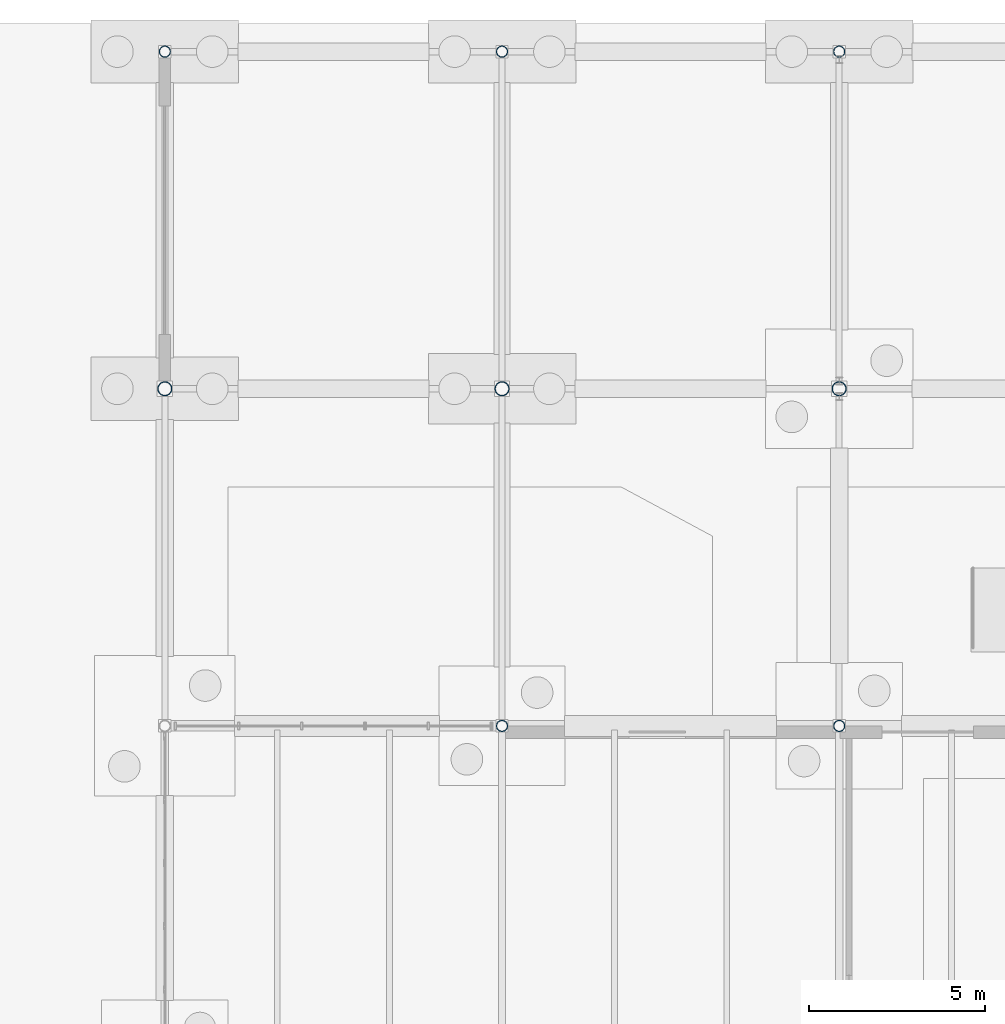
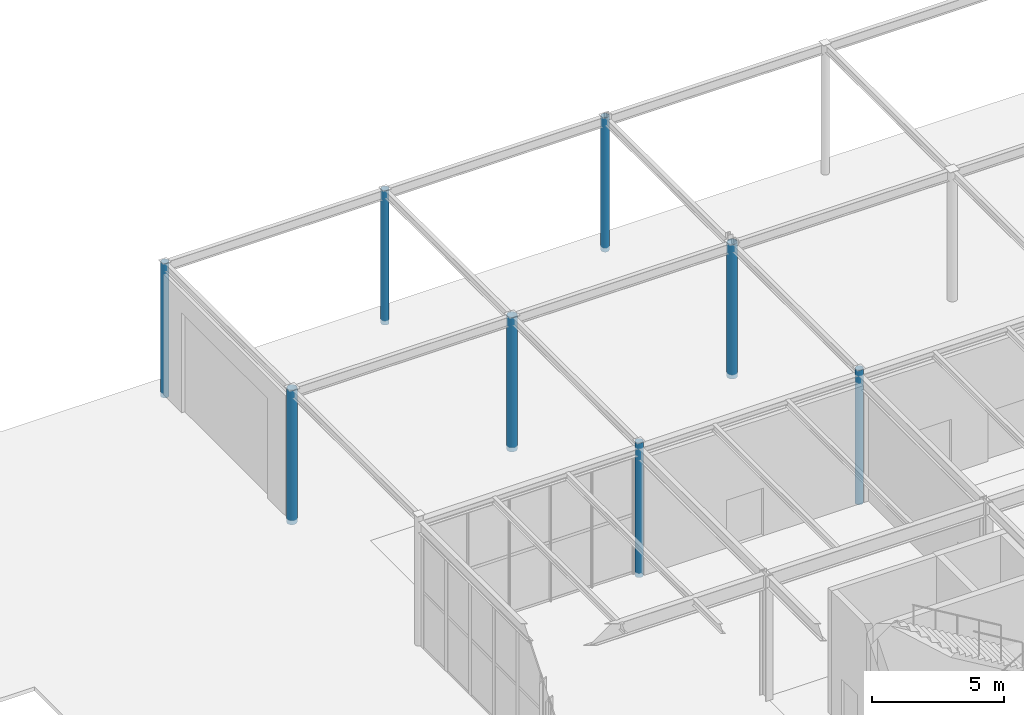
# One storey, part 16 of 142: 8 columns.
"""IFC4 building model written with IfcOpenShell, lengths in metres."""

from ifc_helpers import new_model, si_unit, direction, frame, origin, origin_2d, place, context, subcontext, project, spatial, hollow_circle, extrude, material, material_profile, profile_set, type_object, element, save


model = new_model("IFC4")

# Units and contexts
model_context = context("Model", 3, precision=1e-05, world=origin(), true_north=direction((0.0, 1.0)))
body_context = subcontext(model_context, "Body", "Model", "MODEL_VIEW")
ifc_project = project(units=[si_unit("LENGTHUNIT", "METRE"), si_unit("AREAUNIT", "SQUARE_METRE"), si_unit("VOLUMEUNIT", "CUBIC_METRE"), si_unit("PLANEANGLEUNIT", "RADIAN"), si_unit("MASSUNIT", "GRAM", prefix="KILO")], contexts=[model_context])

# Site, building, storey
site_placement = place(None, origin())
site = spatial("IfcSite", under=ifc_project, at=site_placement, CompositionType="ELEMENT")
building_placement = place(site_placement, origin())
building = spatial("IfcBuilding", under=site, at=building_placement, Name="Coralgate Yard Interchange", CompositionType="ELEMENT")
storey_placement = place(building_placement, origin())
storey = spatial("IfcBuildingStorey", under=building, at=storey_placement, Name="L00", CompositionType="ELEMENT", Elevation=0.0)

# Columns
ifc_material = material(Name="Structural steel S355J2", Category="steel")
ifc_material_profile_1 = material_profile(ifc_material, hollow_circle(Radius=0.203125, WallThickness=0.01611328125, at=origin_2d()), Name="CHS 406.4x16")
ifc_profile_set_1 = profile_set([ifc_material_profile_1], Name="Structural steel S355J2")
column_type_1 = type_object("IfcColumnType", Name="COL-SC-12", PredefinedType="COLUMN", material=ifc_profile_set_1)
for number, where, z_axis, x_axis, name in (
    (1, (38.39990234375, 105.60009765625, -0.199951171875), (0.0, 0.0, 1.0), (1.0, 0.0, 0.0), "L00 wave-canopy steel column 4-11"),
    (2, (48.0, 105.60009765625, -0.199951171875), (0.0, 0.0, 1.0), (1.0, 0.0, 0.0), "L00 wave-canopy steel column 5-11"),
    (3, (57.60009765625, 105.60009765625, -0.199951171875), (0.0, 0.0, 1.0), (1.0, 0.0, 0.0), "L00 wave-canopy steel column 6-11"),
):
    element("IfcColumn", number, at=place(storey_placement, frame(where, z_axis=z_axis, x_axis=x_axis)), inside=storey, type_object=column_type_1, Name=name, PredefinedType="COLUMN", context=body_context, shape_type="SweptSolid", body=[
        extrude(hollow_circle(Radius=0.203125, WallThickness=0.01611328125, at=origin_2d()), origin(), (0.0, 0.0, 1.0), 6.199951171875),
    ])
ifc_material_profile_2 = material_profile(ifc_material, hollow_circle(Radius=0.161865234375, WallThickness=0.012451171875, at=origin_2d()), Name="CHS 323.9x12.5")
ifc_profile_set_2 = profile_set([ifc_material_profile_2], Name="Structural steel S355J2")
column_type_2 = type_object("IfcColumnType", Name="COL-SC-13", PredefinedType="COLUMN", material=ifc_profile_set_2)
for number, where, z_axis, x_axis, name in (
    (4, (38.39990234375, 115.199951171875, -0.199951171875), (0.0, 0.0, 1.0), (1.0, 0.0, 0.0), "L00 wave-canopy steel column 4-12"),
    (5, (48.0, 96.0, -0.199951171875), (0.0, 0.0, 1.0), (1.0, 0.0, 0.0), "L00 wave-canopy steel column 5-10"),
    (6, (48.0, 115.199951171875, -0.199951171875), (0.0, 0.0, 1.0), (1.0, 0.0, 0.0), "L00 wave-canopy steel column 5-12"),
    (7, (57.60009765625, 96.0, -0.199951171875), (0.0, 0.0, 1.0), (1.0, 0.0, 0.0), "L00 wave-canopy steel column 6-10"),
    (8, (57.60009765625, 115.199951171875, -0.199951171875), (0.0, 0.0, 1.0), (1.0, 0.0, 0.0), "L00 wave-canopy steel column 6-12"),
):
    element("IfcColumn", number, at=place(storey_placement, frame(where, z_axis=z_axis, x_axis=x_axis)), inside=storey, type_object=column_type_2, Name=name, PredefinedType="COLUMN", context=body_context, shape_type="SweptSolid", body=[
        extrude(hollow_circle(Radius=0.161865234375, WallThickness=0.012451171875, at=origin_2d()), origin(), (0.0, 0.0, 1.0), 6.199951171875),
    ])

save(model, "model.ifc")
